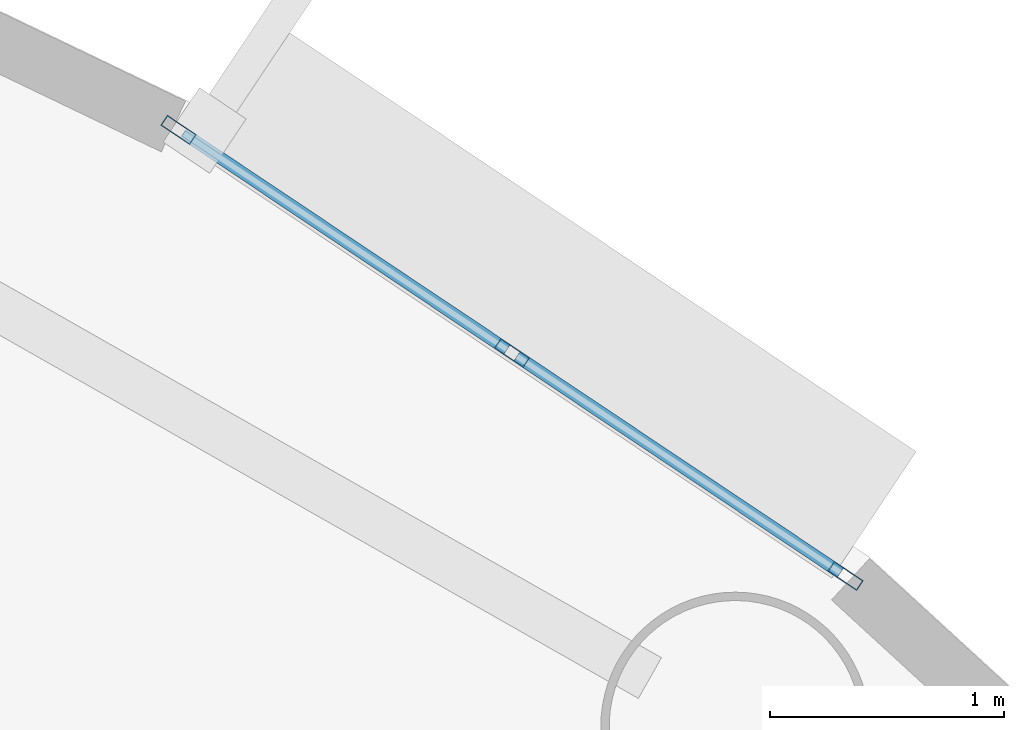
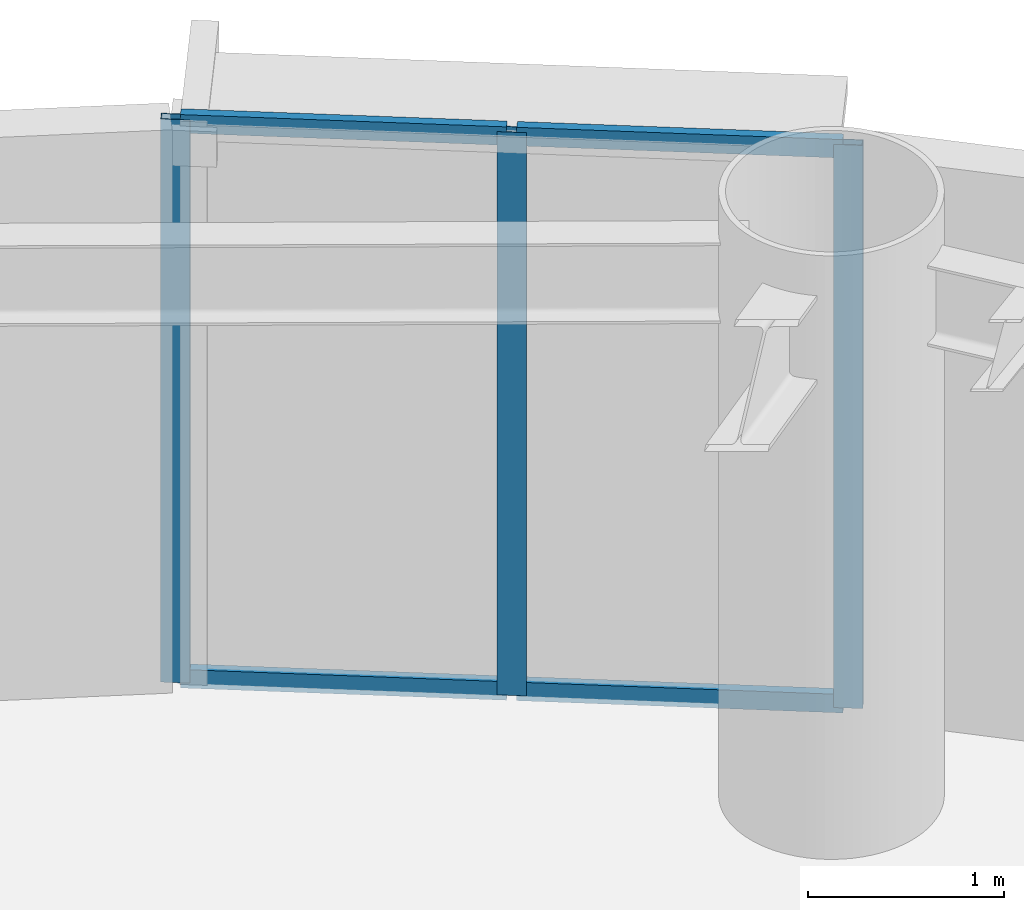
# One storey, part 5 of 18: 7 members, 1 element without a shape of its own.
"""IFC4 building model written with IfcOpenShell, lengths in metres."""

from ifc_helpers import new_model, si_unit, direction, frame, origin, origin_2d, place, context, subcontext, project, spatial, hollow_rectangle, extrude, source, transform, mapped, material, layer, layer_set, material_profile, profile_set, type_object, element, aggregate, save


model = new_model("IFC4")

# Units and contexts
model_context = context("Model", 3, precision=1e-05, world=origin(), true_north=direction((0.0, 1.0)))
body_context = subcontext(model_context, "Body", "Model", "MODEL_VIEW")
ifc_project = project(units=[si_unit("LENGTHUNIT", "METRE"), si_unit("AREAUNIT", "SQUARE_METRE"), si_unit("VOLUMEUNIT", "CUBIC_METRE"), si_unit("PLANEANGLEUNIT", "RADIAN"), si_unit("MASSUNIT", "GRAM", prefix="KILO")], contexts=[model_context])

# Site, building, storey
site_placement = place(None, origin())
site = spatial("IfcSite", under=ifc_project, at=site_placement, CompositionType="ELEMENT")
building_placement = place(site_placement, origin())
building = spatial("IfcBuilding", under=site, at=building_placement, Name="Linh Dai School and Residence Tower", CompositionType="ELEMENT")
storey_placement = place(building_placement, frame((0.0, 0.0, 244.050048828125)))
storey = spatial("IfcBuildingStorey", under=building, at=storey_placement, Name="L60", CompositionType="ELEMENT", Elevation=244.050048828125)

# Curtain wall, members
ifc_material_1 = material(Name="Aluminium Anodised Curtain Wall", Category="aluminium")
ifc_layer = layer(ifc_material_1, 0.14990234375)
ifc_layer_set = layer_set([ifc_layer], Name="Aluminium Anodised Curtain Wall")
curtain_wall_type = type_object("IfcCurtainWallType", Name="CW-SYS-4", PredefinedType="USERDEFINED", material=ifc_layer_set)
curtain_wall_placement = place(storey_placement, origin())
curtain_wall = element("IfcCurtainWall", 1, at=curtain_wall_placement, inside=storey, type_object=curtain_wall_type, Name="L60 CW4 Curtain Wall 06", ObjectType="RIBBON CURTAIN WALL", PredefinedType="USERDEFINED")
ifc_material_2 = material(Name="Aluminium Alloy 6063-T6", Category="aluminium")
ifc_material_profile_1 = material_profile(ifc_material_2, hollow_rectangle(XDim=0.052001953125, YDim=0.14990234375, WallThickness=0.00390625, at=origin_2d()), Name="RHS 150x52x4")
ifc_profile_set_1 = profile_set([ifc_material_profile_1], Name="Aluminium Alloy 6063-T6")
member_type_1 = type_object("IfcMemberType", Name="CW-SYS-4-MUL", PredefinedType="MULLION", material=ifc_profile_set_1)
shared_shape_1 = source(origin(), body_context, "Body", "SweptSolid", [
    extrude(hollow_rectangle(XDim=0.052001953125, YDim=0.14990234375, WallThickness=0.00390625, at=origin_2d()), origin(), (0.0, 0.0, 1.0), 3.5),
])
member_1_placement = place(storey_placement, frame((50.3017578125, 42.333251953125, 0.0), z_axis=(0.0, 0.0, 1.0), x_axis=(0.555887222025, 0.831257719597, 0.0)))
member_1 = element("IfcMember", 2, at=member_1_placement, type_object=member_type_1, Name="CW4 mullion 1", PredefinedType="MULLION", context=body_context, shape_type="MappedRepresentation", body=[
    mapped(shared_shape_1, transform((0.0, 0.0, 0.0), x_axis=(1.0, 0.0, 0.0), y_axis=(0.0, 1.0, 0.0), z_axis=(0.0, 0.0, 1.0), scale=1.0)),
])
member_2_placement = place(storey_placement, frame((51.728271484375, 41.379150390625, 0.0), z_axis=(0.0, 0.0, 1.0), x_axis=(0.555887222025, 0.831257719597, 0.0)))
member_2 = element("IfcMember", 3, at=member_2_placement, type_object=member_type_1, Name="CW4 mullion 2", PredefinedType="MULLION", context=body_context, shape_type="MappedRepresentation", body=[
    mapped(shared_shape_1, transform((0.0, 0.0, 0.0), x_axis=(1.0, 0.0, 0.0), y_axis=(0.0, 1.0, 0.0), z_axis=(0.0, 0.0, 1.0), scale=1.0)),
])
member_3_placement = place(storey_placement, frame((53.15478515625, 40.42529296875, 0.0), z_axis=(0.0, 0.0, 1.0), x_axis=(0.555887222025, 0.831257719597, 0.0)))
member_3 = element("IfcMember", 4, at=member_3_placement, type_object=member_type_1, Name="CW4 mullion 3", PredefinedType="MULLION", context=body_context, shape_type="MappedRepresentation", body=[
    mapped(shared_shape_1, transform((0.0, 0.0, 0.0), x_axis=(1.0, 0.0, 0.0), y_axis=(0.0, 1.0, 0.0), z_axis=(0.0, 0.0, 1.0), scale=1.0)),
])
ifc_material_profile_2 = material_profile(ifc_material_2, hollow_rectangle(XDim=0.052001953125, YDim=0.114990234375, WallThickness=0.00390625, at=origin_2d()), Name="RHS 115x52x4")
ifc_profile_set_2 = profile_set([ifc_material_profile_2], Name="Aluminium Alloy 6063-T6")
member_type_2 = type_object("IfcMemberType", Name="CW-SYS-4-TRN", PredefinedType="USERDEFINED", material=ifc_profile_set_2)
shared_shape_2 = source(origin(), body_context, "Body", "SweptSolid", [
    extrude(hollow_rectangle(XDim=0.052001953125, YDim=0.114990234375, WallThickness=0.00390625, at=origin_2d()), origin(), (0.0, 0.0, 1.0), 1.663818359375),
])
member_4_placement = place(storey_placement, frame((50.323486328125, 42.318603515625, 0.02587890625), z_axis=(0.83128193483, -0.555851009556, 0.0), x_axis=(0.555851009556, 0.83128193483, 0.0)))
member_4 = element("IfcMember", 5, at=member_4_placement, type_object=member_type_2, Name="CW4 transom 1.1", ObjectType="TRANSOM", PredefinedType="USERDEFINED", context=body_context, shape_type="MappedRepresentation", body=[
    mapped(shared_shape_2, transform((0.0, 0.0, 0.0), x_axis=(1.0, 0.0, 0.0), y_axis=(0.0, 1.0, 0.0), z_axis=(0.0, 0.0, 1.0), scale=1.0)),
])
member_5_placement = place(storey_placement, frame((50.323486328125, 42.318603515625, 3.473876953125), z_axis=(0.83128193483, -0.555851009556, 0.0), x_axis=(0.555851009556, 0.83128193483, 0.0)))
member_5 = element("IfcMember", 6, at=member_5_placement, type_object=member_type_2, Name="CW4 transom 1.2", ObjectType="TRANSOM", PredefinedType="USERDEFINED", context=body_context, shape_type="MappedRepresentation", body=[
    mapped(shared_shape_2, transform((0.0, 0.0, 0.0), x_axis=(1.0, 0.0, 0.0), y_axis=(0.0, 1.0, 0.0), z_axis=(0.0, 0.0, 1.0), scale=1.0)),
])
shared_shape_3 = source(origin(), body_context, "Body", "SweptSolid", [
    extrude(hollow_rectangle(XDim=0.052001953125, YDim=0.114990234375, WallThickness=0.00390625, at=origin_2d()), origin(), (0.0, 0.0, 1.0), 1.6640625),
])
member_6_placement = place(storey_placement, frame((51.749755859375, 41.36474609375, 0.02587890625), z_axis=(0.831259473046, -0.555884599959, 0.0), x_axis=(0.555884599959, 0.831259473046, 0.0)))
member_6 = element("IfcMember", 7, at=member_6_placement, type_object=member_type_2, Name="CW4 transom 2.1", ObjectType="TRANSOM", PredefinedType="USERDEFINED", context=body_context, shape_type="MappedRepresentation", body=[
    mapped(shared_shape_3, transform((0.0, 0.0, 0.0), x_axis=(1.0, 0.0, 0.0), y_axis=(0.0, 1.0, 0.0), z_axis=(0.0, 0.0, 1.0), scale=1.0)),
])
member_7_placement = place(storey_placement, frame((51.749755859375, 41.36474609375, 3.473876953125), z_axis=(0.831259473046, -0.555884599959, 0.0), x_axis=(0.555884599959, 0.831259473046, 0.0)))
member_7 = element("IfcMember", 8, at=member_7_placement, type_object=member_type_2, Name="CW4 transom 2.2", ObjectType="TRANSOM", PredefinedType="USERDEFINED", context=body_context, shape_type="MappedRepresentation", body=[
    mapped(shared_shape_3, transform((0.0, 0.0, 0.0), x_axis=(1.0, 0.0, 0.0), y_axis=(0.0, 1.0, 0.0), z_axis=(0.0, 0.0, 1.0), scale=1.0)),
])
aggregate(curtain_wall, [member_1, member_2, member_3, member_4, member_5, member_6, member_7])

save(model, "model.ifc")
